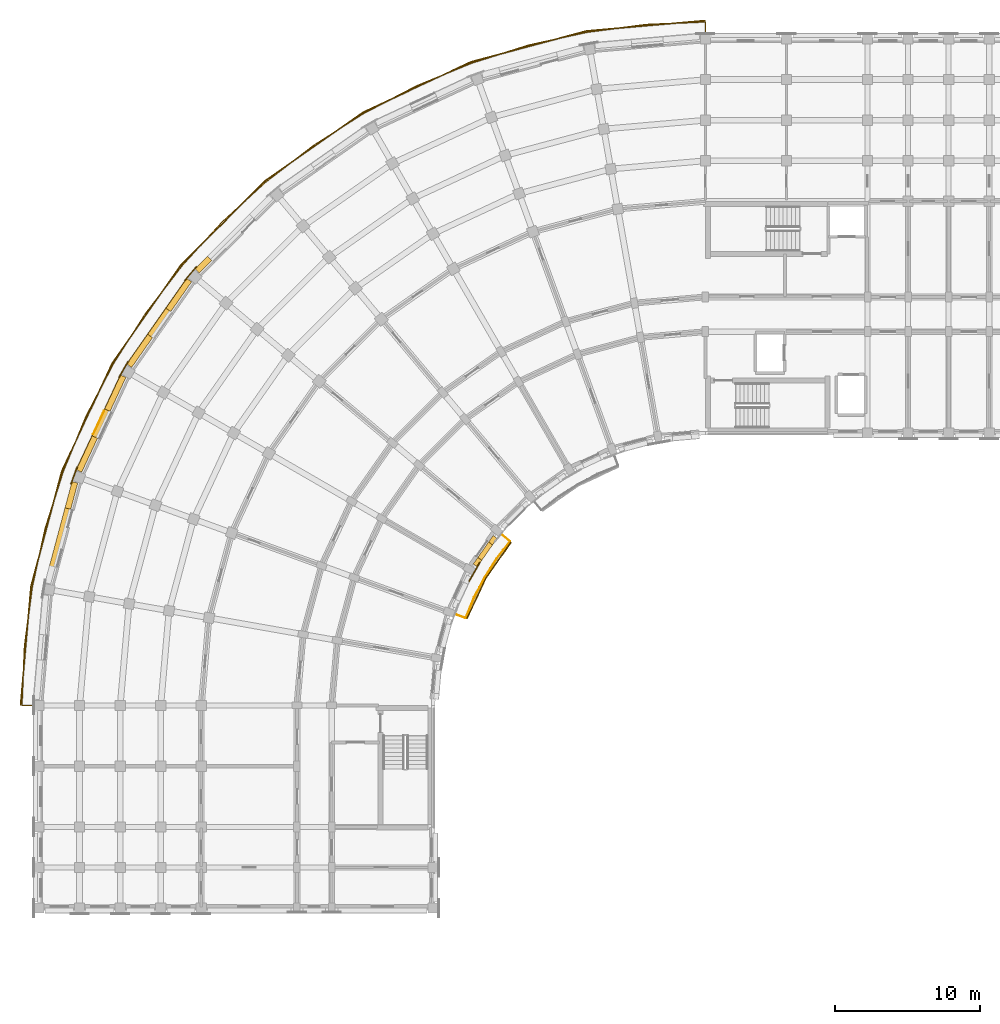
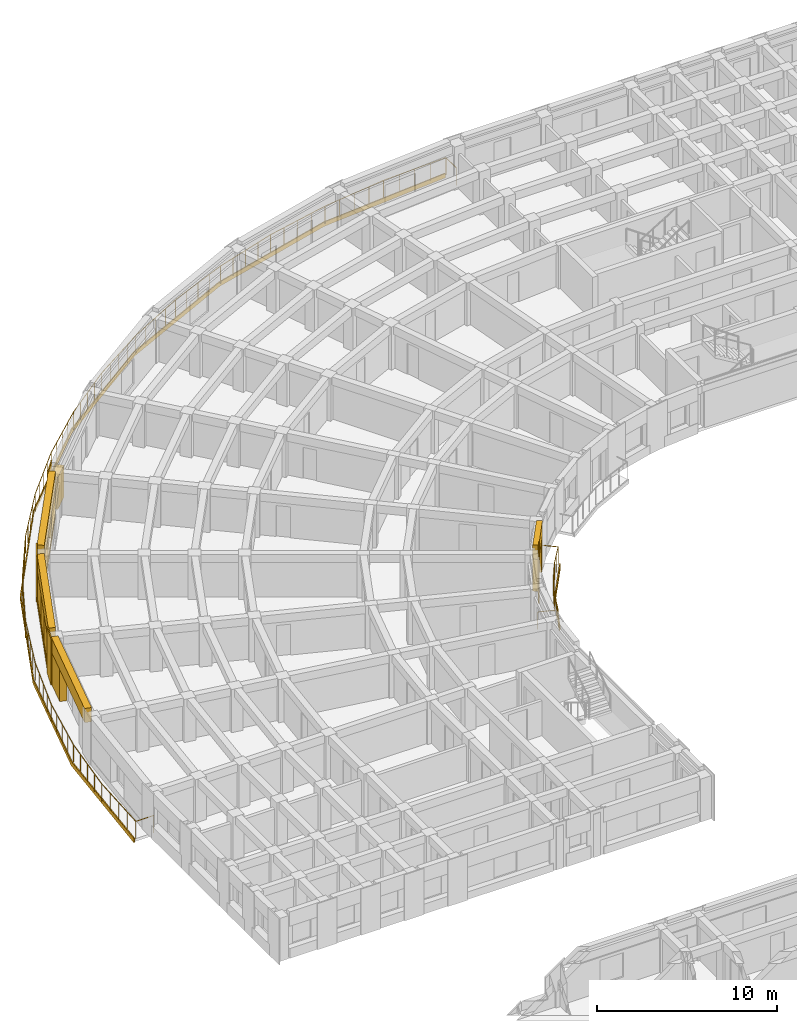
# One storey, part 47 of 57: 20 coverings, 2 railings, 1 shading device.
"""IFC4 building model written with IfcOpenShell, lengths in metres."""

from ifc_helpers import new_model, si_unit, direction, frame, origin, origin_2d, place, context, subcontext, project, spatial, polyline, rectangle, circle, outline, extrude, material, layer, layer_set, type_object, element, save


model = new_model("IFC4")

# Units and contexts
model_context = context("Model", 3, precision=1e-05, world=origin(), true_north=direction((0.0, 1.0)))
body_context = subcontext(model_context, "Body", "Model", "MODEL_VIEW")
ifc_project = project(units=[si_unit("LENGTHUNIT", "METRE"), si_unit("AREAUNIT", "SQUARE_METRE"), si_unit("VOLUMEUNIT", "CUBIC_METRE"), si_unit("PLANEANGLEUNIT", "RADIAN"), si_unit("MASSUNIT", "GRAM", prefix="KILO")], contexts=[model_context])

# Site, building, storey
site_placement = place(None, origin())
site = spatial("IfcSite", under=ifc_project, at=site_placement, CompositionType="ELEMENT")
building_placement = place(site_placement, origin())
building = spatial("IfcBuilding", under=site, at=building_placement, Name="Kiranvali Square Residences", CompositionType="ELEMENT")
storey_placement = place(building_placement, frame((0.0, 0.0, 18.14990234375)))
storey = spatial("IfcBuildingStorey", under=building, at=storey_placement, Name="L05", CompositionType="ELEMENT", Elevation=18.14990234375)

# Coverings
ifc_material_1 = material(Name="Carved Porbandar limestone classical entablature and cornice", Category="masonry")
ifc_layer_1 = layer(ifc_material_1, 0.072021484375)
ifc_layer_set_1 = layer_set([ifc_layer_1], Name="Carved Porbandar limestone classical entablature and cornice")
covering_type_1 = type_object("IfcCoveringType", Name="COV-CLAD-BAL", PredefinedType="CLADDING", material=ifc_layer_set_1)
covering_1_placement = place(storey_placement, frame((0.0, 0.0, -0.239990234375)))
element("IfcCovering", 1, at=covering_1_placement, inside=storey, type_object=covering_type_1, Name="Block A L05 continuous curved limestone balcony fascia", PredefinedType="CLADDING", context=body_context, shape_type="SweptSolid", body=[
    extrude(outline(polyline([(48.199951171875, 135.117919921875), (39.9833984375, 134.399169921875), (32.016357421875, 132.264404296875), (24.541015625, 128.778564453125), (17.78466796875, 124.047607421875), (11.952392578125, 118.21533203125), (7.221435546875, 111.458984375), (3.735595703125, 103.983642578125), (1.600830078125, 96.0166015625), (0.882080078125, 87.800048828125), (0.947998046875, 87.800048828125), (1.665771484375, 96.005126953125), (3.797607421875, 103.961181640625), (7.278564453125, 111.426025390625), (12.0029296875, 118.173095703125), (17.826904296875, 123.9970703125), (24.573974609375, 128.721435546875), (32.038818359375, 132.202392578125), (39.994873046875, 134.334228515625), (48.199951171875, 135.052001953125), (48.199951171875, 135.117919921875)])), origin(), (0.0, 0.0, 1.0), 0.300048828125),
])
ifc_layer_2 = layer(ifc_material_1, 0.06201171875)
ifc_layer_set_2 = layer_set([ifc_layer_2], Name="Carved Porbandar limestone classical entablature and cornice")
covering_type_2 = type_object("IfcCoveringType", Name="COV-CLAD-GBAL", PredefinedType="CLADDING", material=ifc_layer_set_2)
covering_2_placement = place(storey_placement, frame((0.0, 0.0, -0.219970703125)))
element("IfcCovering", 2, at=covering_2_placement, inside=storey, type_object=covering_type_2, Name="Block A L05 garden balcony limestone fascia 2", PredefinedType="CLADDING", context=body_context, shape_type="SweptSolid", body=[
    extrude(outline(polyline([(34.757568359375, 99.07958984375), (33.0029296875, 96.573974609375), (31.710205078125, 93.8017578125), (31.774169921875, 93.778564453125), (33.061767578125, 96.5400390625), (34.8095703125, 99.035888671875), (34.757568359375, 99.07958984375)])), origin(), (0.0, 0.0, 1.0), 0.27001953125),
])
ifc_material_2 = material(Name="Honed Porbandar limestone ashlar facade cladding", Category="masonry")
ifc_layer_3 = layer(ifc_material_2, 0.3798828125)
ifc_layer_set_3 = layer_set([ifc_layer_3], Name="Honed Porbandar limestone ashlar facade cladding")
covering_type_3 = type_object("IfcCoveringType", Name="COV-CLAD-JAMB", PredefinedType="CLADDING", material=ifc_layer_set_3)
covering_3_placement = place(storey_placement, origin())
element("IfcCovering", 3, at=covering_3_placement, inside=storey, type_object=covering_type_3, Name="L05 deep limestone window jamb reveal A-L05-CRV-04.R", PredefinedType="CLADDING", context=body_context, shape_type="SweptSolid", body=[
    extrude(outline(polyline([(13.822265625, 118.808349609375), (12.954833984375, 117.94091796875), (13.244384765625, 117.6513671875), (14.11181640625, 118.518798828125), (13.822265625, 118.808349609375)])), origin(), (0.0, 0.0, 1.0), 2.18017578125),
])
covering_4_placement = place(storey_placement, frame((0.0, 0.0, 0.3720703125)))
element("IfcCovering", 4, at=covering_4_placement, inside=storey, type_object=covering_type_3, Name="L05 deep limestone window jamb reveal A-L05-CRV-05.L", PredefinedType="CLADDING", context=body_context, shape_type="SweptSolid", body=[
    extrude(outline(polyline([(12.396728515625, 117.275634765625), (10.95751953125, 115.220458984375), (11.29296875, 114.9853515625), (12.732177734375, 117.040771484375), (12.396728515625, 117.275634765625)])), origin(), (0.0, 0.0, 1.0), 1.800048828125),
])
covering_5_placement = place(storey_placement, frame((0.0, 0.0, 0.3720703125)))
element("IfcCovering", 5, at=covering_5_placement, inside=storey, type_object=covering_type_3, Name="L05 deep limestone window jamb reveal A-L05-CRV-05.R", PredefinedType="CLADDING", context=body_context, shape_type="SweptSolid", body=[
    extrude(outline(polyline([(9.695556640625, 113.418212890625), (8.25634765625, 111.36279296875), (8.591796875, 111.1279296875), (10.031005859375, 113.183349609375), (9.695556640625, 113.418212890625)])), origin(), (0.0, 0.0, 1.0), 1.800048828125),
])
covering_6_placement = place(storey_placement, frame((0.0, 0.0, 0.322021484375)))
element("IfcCovering", 6, at=covering_6_placement, inside=storey, type_object=covering_type_3, Name="L05 deep limestone window jamb reveal A-L05-CRV-06.L", PredefinedType="CLADDING", context=body_context, shape_type="SweptSolid", body=[
    extrude(outline(polyline([(7.822265625, 110.61083984375), (6.72998046875, 108.268798828125), (7.101318359375, 108.095703125), (8.193359375, 110.437744140625), (7.822265625, 110.61083984375)])), origin(), (0.0, 0.0, 1.0), 1.85009765625),
])
covering_7_placement = place(storey_placement, frame((0.0, 0.0, 0.322021484375)))
element("IfcCovering", 7, at=covering_7_placement, inside=storey, type_object=covering_type_3, Name="L05 deep limestone window jamb reveal A-L05-CRV-06.R", PredefinedType="CLADDING", context=body_context, shape_type="SweptSolid", body=[
    extrude(outline(polyline([(5.86376953125, 106.410888671875), (4.771484375, 104.068603515625), (5.142822265625, 103.895751953125), (6.23486328125, 106.23779296875), (5.86376953125, 106.410888671875)])), origin(), (0.0, 0.0, 1.0), 1.85009765625),
])
covering_8_placement = place(storey_placement, origin())
element("IfcCovering", 8, at=covering_8_placement, inside=storey, type_object=covering_type_3, Name="L05 deep limestone window jamb reveal A-L05-CRV-07.L", PredefinedType="CLADDING", context=body_context, shape_type="SweptSolid", body=[
    extrude(outline(polyline([(4.474609375, 103.252685546875), (3.989013671875, 101.440185546875), (4.384521484375, 101.334228515625), (4.8701171875, 103.146728515625), (4.474609375, 103.252685546875)])), origin(), (0.0, 0.0, 1.0), 2.18017578125),
])
covering_9_placement = place(storey_placement, origin())
element("IfcCovering", 9, at=covering_9_placement, inside=storey, type_object=covering_type_3, Name="L05 deep limestone window jamb reveal A-L05-GDN-05.L", PredefinedType="CLADDING", context=body_context, shape_type="SweptSolid", body=[
    extrude(outline(polyline([(33.54638671875, 99.523681640625), (33.231689453125, 99.074462890625), (33.509765625, 98.879638671875), (33.824462890625, 99.328857421875), (33.54638671875, 99.523681640625)])), origin(), (0.0, 0.0, 1.0), 2.18017578125),
])
covering_10_placement = place(storey_placement, origin())
element("IfcCovering", 10, at=covering_10_placement, inside=storey, type_object=covering_type_3, Name="L05 deep limestone window jamb reveal A-L05-GDN-05.R", PredefinedType="CLADDING", context=body_context, shape_type="SweptSolid", body=[
    extrude(outline(polyline([(32.486083984375, 98.009521484375), (32.171630859375, 97.56005859375), (32.44970703125, 97.365478515625), (32.76416015625, 97.814697265625), (32.486083984375, 98.009521484375)])), origin(), (0.0, 0.0, 1.0), 2.18017578125),
])
ifc_layer_4 = layer(ifc_material_2, 0.06494140625)
ifc_layer_set_4 = layer_set([ifc_layer_4], Name="Honed Porbandar limestone ashlar facade cladding")
covering_type_4 = type_object("IfcCoveringType", Name="COV-CLAD-PIER", PredefinedType="CLADDING", material=ifc_layer_set_4)
covering_11_placement = place(storey_placement, frame((0.0, 0.0, 0.005126953125)))
element("IfcCovering", 11, at=covering_11_placement, inside=storey, type_object=covering_type_4, Name="L05 Classical limestone corner pilaster CLAD-PR-A-L05-A05", PredefinedType="CLADDING", context=body_context, shape_type="SweptSolid", body=[
    extrude(outline(polyline([(13.046630859375, 118.11962890625), (12.23681640625, 117.154296875), (12.28857421875, 117.11083984375), (13.098388671875, 118.076171875), (13.046630859375, 118.11962890625)])), origin(), (0.0, 0.0, 1.0), 3.139892578125),
])
covering_12_placement = place(storey_placement, frame((0.0, 0.0, 0.005126953125)))
element("IfcCovering", 12, at=covering_12_placement, inside=storey, type_object=covering_type_4, Name="L05 Classical limestone corner pilaster CLAD-PR-A-L05-A06", PredefinedType="CLADDING", context=body_context, shape_type="SweptSolid", body=[
    extrude(outline(polyline([(8.31591796875, 111.5546875), (7.685791015625, 110.46337890625), (7.744384765625, 110.4296875), (8.374267578125, 111.520751953125), (8.31591796875, 111.5546875)])), origin(), (0.0, 0.0, 1.0), 3.139892578125),
])
covering_13_placement = place(storey_placement, frame((0.0, 0.0, 0.005126953125)))
element("IfcCovering", 13, at=covering_13_placement, inside=storey, type_object=covering_type_4, Name="L05 Classical limestone corner pilaster CLAD-PR-A-L05-A07", PredefinedType="CLADDING", context=body_context, shape_type="SweptSolid", body=[
    extrude(outline(polyline([(4.796875, 104.267822265625), (4.365966796875, 103.083984375), (4.42919921875, 103.060791015625), (4.8603515625, 104.244873046875), (4.796875, 104.267822265625)])), origin(), (0.0, 0.0, 1.0), 3.139892578125),
])
ifc_layer_5 = layer(ifc_material_2, 0.050048828125)
ifc_layer_set_5 = layer_set([ifc_layer_5], Name="Honed Porbandar limestone ashlar facade cladding")
covering_type_5 = type_object("IfcCoveringType", Name="COV-CLAD-PIER-IN", PredefinedType="CLADDING", material=ifc_layer_set_5)
covering_14_placement = place(storey_placement, frame((0.0, 0.0, 0.005126953125)))
element("IfcCovering", 14, at=covering_14_placement, inside=storey, type_object=covering_type_5, Name="L05 Classical garden courtyard pilaster CLAD-PRIN-A-L05-A06", PredefinedType="CLADDING", context=body_context, shape_type="SweptSolid", body=[
    extrude(outline(polyline([(31.90576171875, 96.341552734375), (32.65576171875, 97.640625), (32.59716796875, 97.67431640625), (31.84716796875, 96.375244140625), (31.90576171875, 96.341552734375)])), origin(), (0.0, 0.0, 1.0), 3.139892578125),
])
ifc_layer_6 = layer(ifc_material_2, 0.360107421875)
ifc_layer_set_6 = layer_set([ifc_layer_6], Name="Honed Porbandar limestone ashlar facade cladding")
covering_type_6 = type_object("IfcCoveringType", Name="COV-CLAD-WALL", PredefinedType="CLADDING", material=ifc_layer_set_6)
covering_15_placement = place(storey_placement, frame((0.0, 0.0, 2.172119140625)))
element("IfcCovering", 15, at=covering_15_placement, inside=storey, type_object=covering_type_6, Name="L05 light limestone spandrel lintel A-L05-CRV-05", PredefinedType="CLADDING", context=body_context, shape_type="SweptSolid", body=[
    extrude(outline(polyline([(12.396728515625, 117.275634765625), (8.25634765625, 111.36279296875), (8.591796875, 111.1279296875), (12.732177734375, 117.040771484375), (12.396728515625, 117.275634765625)])), origin(), (0.0, 0.0, 1.0), 0.972900390625),
])
covering_16_placement = place(storey_placement, frame((0.0, 0.0, 0.005126953125)))
element("IfcCovering", 16, at=covering_16_placement, inside=storey, type_object=covering_type_6, Name="L05 limestone window sill apron A-L05-CRV-05", PredefinedType="CLADDING", context=body_context, shape_type="SweptSolid", body=[
    extrude(outline(polyline([(12.3720703125, 117.29296875), (8.23193359375, 111.380126953125), (8.591796875, 111.1279296875), (12.732177734375, 117.040771484375), (12.3720703125, 117.29296875)])), origin(), (0.0, 0.0, 1.0), 0.366943359375),
])
covering_17_placement = place(storey_placement, frame((0.0, 0.0, 2.172119140625)))
element("IfcCovering", 17, at=covering_17_placement, inside=storey, type_object=covering_type_6, Name="L05 light limestone spandrel lintel A-L05-CRV-06", PredefinedType="CLADDING", context=body_context, shape_type="SweptSolid", body=[
    extrude(outline(polyline([(7.822265625, 110.61083984375), (4.771484375, 104.068603515625), (5.142822265625, 103.895751953125), (8.193359375, 110.437744140625), (7.822265625, 110.61083984375)])), origin(), (0.0, 0.0, 1.0), 0.972900390625),
])
covering_18_placement = place(storey_placement, frame((0.0, 0.0, 0.005126953125)))
element("IfcCovering", 18, at=covering_18_placement, inside=storey, type_object=covering_type_6, Name="L05 limestone window sill apron A-L05-CRV-06", PredefinedType="CLADDING", context=body_context, shape_type="SweptSolid", body=[
    extrude(outline(polyline([(7.794921875, 110.62353515625), (4.744384765625, 104.081298828125), (5.142822265625, 103.895751953125), (8.193359375, 110.437744140625), (7.794921875, 110.62353515625)])), origin(), (0.0, 0.0, 1.0), 0.31689453125),
])
covering_19_placement = place(storey_placement, frame((0.0, 0.0, 2.18017578125)))
element("IfcCovering", 19, at=covering_19_placement, inside=storey, type_object=covering_type_6, Name="L05 light limestone spandrel lintel A-L05-CRV-07", PredefinedType="CLADDING", context=body_context, shape_type="SweptSolid", body=[
    extrude(outline(polyline([(4.474609375, 103.252685546875), (2.6064453125, 96.2802734375), (3.001953125, 96.17431640625), (4.8701171875, 103.146728515625), (4.474609375, 103.252685546875)])), origin(), (0.0, 0.0, 1.0), 0.96484375),
])
covering_20_placement = place(storey_placement, frame((0.0, 0.0, 2.18017578125)))
element("IfcCovering", 20, at=covering_20_placement, inside=storey, type_object=covering_type_6, Name="L05 light limestone spandrel lintel A-L05-GDN-05", PredefinedType="CLADDING", context=body_context, shape_type="SweptSolid", body=[
    extrude(outline(polyline([(33.54638671875, 99.523681640625), (32.171630859375, 97.56005859375), (32.44970703125, 97.365478515625), (33.824462890625, 99.328857421875), (33.54638671875, 99.523681640625)])), origin(), (0.0, 0.0, 1.0), 0.96484375),
])

# Railings
ifc_material_3 = material(Name="Powder-coated architectural bronze balustrade", Category="steel")
railing_type = type_object("IfcRailingType", Name="RL-BAL-GOLD-1200", PredefinedType="BALUSTRADE", material=ifc_material_3)
railing_1_placement = place(storey_placement, frame((48.199951171875, 133.840087890625, 0.0)))
element("IfcRailing", 21, at=railing_1_placement, inside=storey, type_object=railing_type, Name="Block A L05 continuous curved corner gold balustrade", PredefinedType="BALUSTRADE", context=body_context, shape_type="SweptSolid", body=[
    extrude(circle(Radius=0.02392578125, at=origin_2d()), frame((0.0, 0.0, 1.17578125), z_axis=(0.0, 1.0, 0.0), x_axis=(-1.0, 0.0, 0.0)), (0.0, 0.0, 1.0), 1.14990234375),
    extrude(circle(Radius=0.02392578125, at=origin_2d()), frame((0.0, 1.14990234375, 1.17578125), z_axis=(-0.999049544955, -0.043589066576, 0.0), x_axis=(0.043589066576, -0.999049544955, 0.0)), (0.0, 0.0, 1.0), 4.11669921875),
    extrude(circle(Radius=0.02392578125, at=origin_2d()), frame((-4.11279296875, 0.970458984375, 1.17578125), z_axis=(-0.991444603928, -0.1305281477, 0.0), x_axis=(0.1305281477, -0.991444603928, 0.0)), (0.0, 0.0, 1.0), 4.11669921875),
    extrude(circle(Radius=0.02392578125, at=origin_2d()), frame((-8.1943359375, 0.43310546875, 1.17578125), z_axis=(-0.976292989924, -0.216453223181, 0.0), x_axis=(0.216453223181, -0.976292989924, 0.0)), (0.0, 0.0, 1.0), 4.116943359375),
    extrude(circle(Radius=0.02392578125, at=origin_2d()), frame((-12.213623046875, -0.4580078125, 1.17578125), z_axis=(-0.953710744932, -0.300725481131, 0.0), x_axis=(0.300725481131, -0.953710744932, 0.0)), (0.0, 0.0, 1.0), 4.116943359375),
    extrude(circle(Radius=0.02392578125, at=origin_2d()), frame((-16.139892578125, -1.696044921875, 1.17578125), z_axis=(-0.923880226262, -0.382681757498, 0.0), x_axis=(0.382681757498, -0.923880226262, 0.0)), (0.0, 0.0, 1.0), 4.116943359375),
    extrude(circle(Radius=0.02392578125, at=origin_2d()), frame((-19.943359375, -3.271484375, 1.17578125), z_axis=(-0.887013781313, -0.461742949877, 0.0), x_axis=(0.461742949877, -0.887013781313, 0.0)), (0.0, 0.0, 1.0), 4.11669921875),
    extrude(circle(Radius=0.02392578125, at=origin_2d()), frame((-23.594970703125, -5.17236328125, 1.17578125), z_axis=(-0.843402550976, -0.537282176335, 0.0), x_axis=(0.537282176335, -0.843402550976, 0.0)), (0.0, 0.0, 1.0), 4.116943359375),
    extrude(circle(Radius=0.02392578125, at=origin_2d()), frame((-27.067138671875, -7.38427734375, 1.17578125), z_axis=(-0.793339967331, -0.608778856594, 0.0), x_axis=(0.608778856594, -0.793339967331, 0.0)), (0.0, 0.0, 1.0), 4.11669921875),
    extrude(circle(Radius=0.02392578125, at=origin_2d()), frame((-30.3330078125, -9.890380859375, 1.17578125), z_axis=(-0.737299356654, -0.675566176386, 0.0), x_axis=(0.675566176386, -0.737299356654, 0.0)), (0.0, 0.0, 1.0), 4.116943359375),
    extrude(circle(Radius=0.02392578125, at=origin_2d()), frame((-33.368408203125, -12.671630859375, 1.17578125), z_axis=(-0.675566176386, -0.737299356654, 0.0), x_axis=(0.737299356654, -0.675566176386, 0.0)), (0.0, 0.0, 1.0), 4.116943359375),
    extrude(circle(Radius=0.02392578125, at=origin_2d()), frame((-36.149658203125, -15.70703125, 1.17578125), z_axis=(-0.608778856594, -0.793339967331, 0.0), x_axis=(0.793339967331, -0.608778856594, 0.0)), (0.0, 0.0, 1.0), 4.11669921875),
    extrude(circle(Radius=0.02392578125, at=origin_2d()), frame((-38.65576171875, -18.972900390625, 1.17578125), z_axis=(-0.537282176335, -0.843402550976, 0.0), x_axis=(0.843402550976, -0.537282176335, 0.0)), (0.0, 0.0, 1.0), 4.116943359375),
    extrude(circle(Radius=0.02392578125, at=origin_2d()), frame((-40.86767578125, -22.445068359375, 1.17578125), z_axis=(-0.461742949877, -0.887013781313, 0.0), x_axis=(0.887013781313, -0.461742949877, 0.0)), (0.0, 0.0, 1.0), 4.11669921875),
    extrude(circle(Radius=0.02392578125, at=origin_2d()), frame((-42.7685546875, -26.0966796875, 1.17578125), z_axis=(-0.382681757498, -0.923880226262, 0.0), x_axis=(0.923880226262, -0.382681757498, 0.0)), (0.0, 0.0, 1.0), 4.116943359375),
    extrude(circle(Radius=0.02392578125, at=origin_2d()), frame((-44.343994140625, -29.900146484375, 1.17578125), z_axis=(-0.300725481131, -0.953710744932, 0.0), x_axis=(0.953710744932, -0.300725481131, 0.0)), (0.0, 0.0, 1.0), 4.116943359375),
    extrude(circle(Radius=0.02392578125, at=origin_2d()), frame((-45.58203125, -33.826416015625, 1.17578125), z_axis=(-0.216453223181, -0.976292989924, 0.0), x_axis=(0.976292989924, -0.216453223181, 0.0)), (0.0, 0.0, 1.0), 4.116943359375),
    extrude(circle(Radius=0.02392578125, at=origin_2d()), frame((-46.47314453125, -37.845703125, 1.17578125), z_axis=(-0.1305281477, -0.991444603928, 0.0), x_axis=(0.991444603928, -0.1305281477, 0.0)), (0.0, 0.0, 1.0), 4.11669921875),
    extrude(circle(Radius=0.02392578125, at=origin_2d()), frame((-47.010498046875, -41.92724609375, 1.17578125), z_axis=(-0.043589066576, -0.999049544955, 0.0), x_axis=(0.999049544955, -0.043589066576, 0.0)), (0.0, 0.0, 1.0), 4.11669921875),
    extrude(circle(Radius=0.02392578125, at=origin_2d()), frame((-47.18994140625, -46.0400390625, 1.17578125), z_axis=(1.0, 0.0, 0.0), x_axis=(0.0, 1.0, 0.0)), (0.0, 0.0, 1.0), 1.14990234375),
    extrude(circle(Radius=0.02099609375, at=origin_2d()), origin(), (0.0, 0.0, 1.0), 1.15185546875),
    extrude(circle(Radius=0.02099609375, at=origin_2d()), frame((0.0, 1.14990234375, 0.0)), (0.0, 0.0, 1.0), 1.15185546875),
    extrude(circle(Radius=0.02099609375, at=origin_2d()), frame((-1.0283203125, 1.10498046875, 0.0)), (0.0, 0.0, 1.0), 1.15185546875),
    extrude(circle(Radius=0.02099609375, at=origin_2d()), frame((-2.056396484375, 1.06005859375, 0.0)), (0.0, 0.0, 1.0), 1.15185546875),
    extrude(circle(Radius=0.02099609375, at=origin_2d()), frame((-3.08447265625, 1.015380859375, 0.0)), (0.0, 0.0, 1.0), 1.15185546875),
    extrude(circle(Radius=0.02099609375, at=origin_2d()), frame((-4.11279296875, 0.970458984375, 0.0)), (0.0, 0.0, 1.0), 1.15185546875),
    extrude(circle(Radius=0.02099609375, at=origin_2d()), frame((-5.13330078125, 0.836181640625, 0.0)), (0.0, 0.0, 1.0), 1.15185546875),
    extrude(circle(Radius=0.02099609375, at=origin_2d()), frame((-6.153564453125, 0.70166015625, 0.0)), (0.0, 0.0, 1.0), 1.15185546875),
    extrude(circle(Radius=0.02099609375, at=origin_2d()), frame((-7.173828125, 0.5673828125, 0.0)), (0.0, 0.0, 1.0), 1.15185546875),
    extrude(circle(Radius=0.02099609375, at=origin_2d()), frame((-8.1943359375, 0.43310546875, 0.0)), (0.0, 0.0, 1.0), 1.15185546875),
    extrude(circle(Radius=0.02099609375, at=origin_2d()), frame((-9.19921875, 0.21044921875, 0.0)), (0.0, 0.0, 1.0), 1.15185546875),
    extrude(circle(Radius=0.02099609375, at=origin_2d()), frame((-10.2041015625, -0.012451171875, 0.0)), (0.0, 0.0, 1.0), 1.15185546875),
    extrude(circle(Radius=0.02099609375, at=origin_2d()), frame((-11.208740234375, -0.2353515625, 0.0)), (0.0, 0.0, 1.0), 1.15185546875),
    extrude(circle(Radius=0.02099609375, at=origin_2d()), frame((-12.213623046875, -0.4580078125, 0.0)), (0.0, 0.0, 1.0), 1.15185546875),
    extrude(circle(Radius=0.02099609375, at=origin_2d()), frame((-13.1953125, -0.767578125, 0.0)), (0.0, 0.0, 1.0), 1.15185546875),
    extrude(circle(Radius=0.02099609375, at=origin_2d()), frame((-14.1767578125, -1.0771484375, 0.0)), (0.0, 0.0, 1.0), 1.15185546875),
    extrude(circle(Radius=0.02099609375, at=origin_2d()), frame((-15.158203125, -1.386474609375, 0.0)), (0.0, 0.0, 1.0), 1.15185546875),
    extrude(circle(Radius=0.02099609375, at=origin_2d()), frame((-16.139892578125, -1.696044921875, 0.0)), (0.0, 0.0, 1.0), 1.15185546875),
    extrude(circle(Radius=0.02099609375, at=origin_2d()), frame((-17.0908203125, -2.08984375, 0.0)), (0.0, 0.0, 1.0), 1.15185546875),
    extrude(circle(Radius=0.02099609375, at=origin_2d()), frame((-18.04150390625, -2.48388671875, 0.0)), (0.0, 0.0, 1.0), 1.15185546875),
    extrude(circle(Radius=0.02099609375, at=origin_2d()), frame((-18.992431640625, -2.877685546875, 0.0)), (0.0, 0.0, 1.0), 1.15185546875),
    extrude(circle(Radius=0.02099609375, at=origin_2d()), frame((-19.943359375, -3.271484375, 0.0)), (0.0, 0.0, 1.0), 1.15185546875),
    extrude(circle(Radius=0.02099609375, at=origin_2d()), frame((-20.856201171875, -3.74658203125, 0.0)), (0.0, 0.0, 1.0), 1.15185546875),
    extrude(circle(Radius=0.02099609375, at=origin_2d()), frame((-21.76904296875, -4.221923828125, 0.0)), (0.0, 0.0, 1.0), 1.15185546875),
    extrude(circle(Radius=0.02099609375, at=origin_2d()), frame((-22.68212890625, -4.697265625, 0.0)), (0.0, 0.0, 1.0), 1.15185546875),
    extrude(circle(Radius=0.02099609375, at=origin_2d()), frame((-23.594970703125, -5.17236328125, 0.0)), (0.0, 0.0, 1.0), 1.15185546875),
    extrude(circle(Radius=0.02099609375, at=origin_2d()), frame((-24.462890625, -5.725341796875, 0.0)), (0.0, 0.0, 1.0), 1.15185546875),
    extrude(circle(Radius=0.02099609375, at=origin_2d()), frame((-25.3310546875, -6.2783203125, 0.0)), (0.0, 0.0, 1.0), 1.15185546875),
    extrude(circle(Radius=0.02099609375, at=origin_2d()), frame((-26.19921875, -6.831298828125, 0.0)), (0.0, 0.0, 1.0), 1.15185546875),
    extrude(circle(Radius=0.02099609375, at=origin_2d()), frame((-27.067138671875, -7.38427734375, 0.0)), (0.0, 0.0, 1.0), 1.15185546875),
    extrude(circle(Radius=0.02099609375, at=origin_2d()), frame((-27.883544921875, -8.0107421875, 0.0)), (0.0, 0.0, 1.0), 1.15185546875),
    extrude(circle(Radius=0.02099609375, at=origin_2d()), frame((-28.7001953125, -8.63720703125, 0.0)), (0.0, 0.0, 1.0), 1.15185546875),
    extrude(circle(Radius=0.02099609375, at=origin_2d()), frame((-29.5166015625, -9.263916015625, 0.0)), (0.0, 0.0, 1.0), 1.15185546875),
    extrude(circle(Radius=0.02099609375, at=origin_2d()), frame((-30.3330078125, -9.890380859375, 0.0)), (0.0, 0.0, 1.0), 1.15185546875),
    extrude(circle(Radius=0.02099609375, at=origin_2d()), frame((-31.091796875, -10.585693359375, 0.0)), (0.0, 0.0, 1.0), 1.15185546875),
    extrude(circle(Radius=0.02099609375, at=origin_2d()), frame((-31.8505859375, -11.281005859375, 0.0)), (0.0, 0.0, 1.0), 1.15185546875),
    extrude(circle(Radius=0.02099609375, at=origin_2d()), frame((-32.609619140625, -11.976318359375, 0.0)), (0.0, 0.0, 1.0), 1.15185546875),
    extrude(circle(Radius=0.02099609375, at=origin_2d()), frame((-33.368408203125, -12.671630859375, 0.0)), (0.0, 0.0, 1.0), 1.15185546875),
    extrude(circle(Radius=0.02099609375, at=origin_2d()), frame((-34.063720703125, -13.430419921875, 0.0)), (0.0, 0.0, 1.0), 1.15185546875),
    extrude(circle(Radius=0.02099609375, at=origin_2d()), frame((-34.759033203125, -14.189453125, 0.0)), (0.0, 0.0, 1.0), 1.15185546875),
    extrude(circle(Radius=0.02099609375, at=origin_2d()), frame((-35.454345703125, -14.9482421875, 0.0)), (0.0, 0.0, 1.0), 1.15185546875),
    extrude(circle(Radius=0.02099609375, at=origin_2d()), frame((-36.149658203125, -15.70703125, 0.0)), (0.0, 0.0, 1.0), 1.15185546875),
    extrude(circle(Radius=0.02099609375, at=origin_2d()), frame((-36.776123046875, -16.5234375, 0.0)), (0.0, 0.0, 1.0), 1.15185546875),
    extrude(circle(Radius=0.02099609375, at=origin_2d()), frame((-37.40283203125, -17.33984375, 0.0)), (0.0, 0.0, 1.0), 1.15185546875),
    extrude(circle(Radius=0.02099609375, at=origin_2d()), frame((-38.029296875, -18.156494140625, 0.0)), (0.0, 0.0, 1.0), 1.15185546875),
    extrude(circle(Radius=0.02099609375, at=origin_2d()), frame((-38.65576171875, -18.972900390625, 0.0)), (0.0, 0.0, 1.0), 1.15185546875),
    extrude(circle(Radius=0.02099609375, at=origin_2d()), frame((-39.208740234375, -19.8408203125, 0.0)), (0.0, 0.0, 1.0), 1.15185546875),
    extrude(circle(Radius=0.02099609375, at=origin_2d()), frame((-39.76171875, -20.708984375, 0.0)), (0.0, 0.0, 1.0), 1.15185546875),
    extrude(circle(Radius=0.02099609375, at=origin_2d()), frame((-40.314697265625, -21.5771484375, 0.0)), (0.0, 0.0, 1.0), 1.15185546875),
    extrude(circle(Radius=0.02099609375, at=origin_2d()), frame((-40.86767578125, -22.445068359375, 0.0)), (0.0, 0.0, 1.0), 1.15185546875),
    extrude(circle(Radius=0.02099609375, at=origin_2d()), frame((-41.3427734375, -23.35791015625, 0.0)), (0.0, 0.0, 1.0), 1.15185546875),
    extrude(circle(Radius=0.02099609375, at=origin_2d()), frame((-41.818115234375, -24.27099609375, 0.0)), (0.0, 0.0, 1.0), 1.15185546875),
    extrude(circle(Radius=0.02099609375, at=origin_2d()), frame((-42.29345703125, -25.183837890625, 0.0)), (0.0, 0.0, 1.0), 1.15185546875),
    extrude(circle(Radius=0.02099609375, at=origin_2d()), frame((-42.7685546875, -26.0966796875, 0.0)), (0.0, 0.0, 1.0), 1.15185546875),
    extrude(circle(Radius=0.02099609375, at=origin_2d()), frame((-43.162353515625, -27.047607421875, 0.0)), (0.0, 0.0, 1.0), 1.15185546875),
    extrude(circle(Radius=0.02099609375, at=origin_2d()), frame((-43.55615234375, -27.99853515625, 0.0)), (0.0, 0.0, 1.0), 1.15185546875),
    extrude(circle(Radius=0.02099609375, at=origin_2d()), frame((-43.9501953125, -28.94921875, 0.0)), (0.0, 0.0, 1.0), 1.15185546875),
    extrude(circle(Radius=0.02099609375, at=origin_2d()), frame((-44.343994140625, -29.900146484375, 0.0)), (0.0, 0.0, 1.0), 1.15185546875),
    extrude(circle(Radius=0.02099609375, at=origin_2d()), frame((-44.653564453125, -30.8818359375, 0.0)), (0.0, 0.0, 1.0), 1.15185546875),
    extrude(circle(Radius=0.02099609375, at=origin_2d()), frame((-44.962890625, -31.86328125, 0.0)), (0.0, 0.0, 1.0), 1.15185546875),
    extrude(circle(Radius=0.02099609375, at=origin_2d()), frame((-45.2724609375, -32.8447265625, 0.0)), (0.0, 0.0, 1.0), 1.15185546875),
    extrude(circle(Radius=0.02099609375, at=origin_2d()), frame((-45.58203125, -33.826416015625, 0.0)), (0.0, 0.0, 1.0), 1.15185546875),
    extrude(circle(Radius=0.02099609375, at=origin_2d()), frame((-45.8046875, -34.831298828125, 0.0)), (0.0, 0.0, 1.0), 1.15185546875),
    extrude(circle(Radius=0.02099609375, at=origin_2d()), frame((-46.027587890625, -35.8359375, 0.0)), (0.0, 0.0, 1.0), 1.15185546875),
    extrude(circle(Radius=0.02099609375, at=origin_2d()), frame((-46.25048828125, -36.8408203125, 0.0)), (0.0, 0.0, 1.0), 1.15185546875),
    extrude(circle(Radius=0.02099609375, at=origin_2d()), frame((-46.47314453125, -37.845703125, 0.0)), (0.0, 0.0, 1.0), 1.15185546875),
    extrude(circle(Radius=0.02099609375, at=origin_2d()), frame((-46.607421875, -38.8662109375, 0.0)), (0.0, 0.0, 1.0), 1.15185546875),
    extrude(circle(Radius=0.02099609375, at=origin_2d()), frame((-46.74169921875, -39.886474609375, 0.0)), (0.0, 0.0, 1.0), 1.15185546875),
    extrude(circle(Radius=0.02099609375, at=origin_2d()), frame((-46.876220703125, -40.90673828125, 0.0)), (0.0, 0.0, 1.0), 1.15185546875),
    extrude(circle(Radius=0.02099609375, at=origin_2d()), frame((-47.010498046875, -41.92724609375, 0.0)), (0.0, 0.0, 1.0), 1.15185546875),
    extrude(circle(Radius=0.02099609375, at=origin_2d()), frame((-47.055419921875, -42.95556640625, 0.0)), (0.0, 0.0, 1.0), 1.15185546875),
    extrude(circle(Radius=0.02099609375, at=origin_2d()), frame((-47.10009765625, -43.983642578125, 0.0)), (0.0, 0.0, 1.0), 1.15185546875),
    extrude(circle(Radius=0.02099609375, at=origin_2d()), frame((-47.14501953125, -45.01171875, 0.0)), (0.0, 0.0, 1.0), 1.15185546875),
    extrude(circle(Radius=0.02099609375, at=origin_2d()), frame((-47.18994140625, -46.0400390625, 0.0)), (0.0, 0.0, 1.0), 1.15185546875),
    extrude(circle(Radius=0.02099609375, at=origin_2d()), frame((-46.0400390625, -46.0400390625, 0.0)), (0.0, 0.0, 1.0), 1.15185546875),
])
railing_2_placement = place(storey_placement, frame((33.8291015625, 99.858642578125, 0.0)))
element("IfcRailing", 22, at=railing_2_placement, inside=storey, type_object=railing_type, Name="Block A L05 garden balcony gold balustrade 2", PredefinedType="BALUSTRADE", context=body_context, shape_type="SweptSolid", body=[
    extrude(circle(Radius=0.02392578125, at=origin_2d()), frame((0.0, 0.0, 1.17578125), z_axis=(0.765989188314, -0.642853454051, 0.0), x_axis=(0.642853454051, 0.765989188314, 0.0)), (0.0, 0.0, 1.0), 1.14990234375),
    extrude(circle(Radius=0.02392578125, at=origin_2d()), frame((0.880859375, -0.7392578125, 1.17578125), z_axis=(-0.608811807471, -0.793314680996, 0.0), x_axis=(0.793314680996, -0.608811807471, 0.0)), (0.0, 0.0, 1.0), 1.536376953125),
    extrude(circle(Radius=0.02392578125, at=origin_2d()), frame((-0.054443359375, -1.9580078125, 1.17578125), z_axis=(-0.537307309343, -0.843386539688, 0.0), x_axis=(0.843386539688, -0.537307309343, 0.0)), (0.0, 0.0, 1.0), 1.5361328125),
    extrude(circle(Radius=0.02392578125, at=origin_2d()), frame((-0.8798828125, -3.253662109375, 1.17578125), z_axis=(-0.461713009976, -0.887029366154, 0.0), x_axis=(0.887029366154, -0.461713009976, 0.0)), (0.0, 0.0, 1.0), 1.5361328125),
    extrude(circle(Radius=0.02392578125, at=origin_2d()), frame((-1.589111328125, -4.6162109375, 1.17578125), z_axis=(-0.382651197843, -0.923892883829, 0.0), x_axis=(0.923892883829, -0.382651197843, 0.0)), (0.0, 0.0, 1.0), 1.536376953125),
    extrude(circle(Radius=0.02392578125, at=origin_2d()), frame((-2.177001953125, -6.03564453125, 1.17578125), z_axis=(-0.939712828289, 0.341964618562, 0.0), x_axis=(-0.341964618562, -0.939712828289, 0.0)), (0.0, 0.0, 1.0), 1.150146484375),
    extrude(circle(Radius=0.02099609375, at=origin_2d()), origin(), (0.0, 0.0, 1.0), 1.15185546875),
    extrude(circle(Radius=0.02099609375, at=origin_2d()), frame((0.880859375, -0.7392578125, 0.0)), (0.0, 0.0, 1.0), 1.15185546875),
    extrude(circle(Radius=0.02099609375, at=origin_2d()), frame((0.4130859375, -1.3486328125, 0.0)), (0.0, 0.0, 1.0), 1.15185546875),
    extrude(circle(Radius=0.02099609375, at=origin_2d()), frame((-0.054443359375, -1.9580078125, 0.0)), (0.0, 0.0, 1.0), 1.15185546875),
    extrude(circle(Radius=0.02099609375, at=origin_2d()), frame((-0.46728515625, -2.60595703125, 0.0)), (0.0, 0.0, 1.0), 1.15185546875),
    extrude(circle(Radius=0.02099609375, at=origin_2d()), frame((-0.8798828125, -3.253662109375, 0.0)), (0.0, 0.0, 1.0), 1.15185546875),
    extrude(circle(Radius=0.02099609375, at=origin_2d()), frame((-1.234375, -3.93505859375, 0.0)), (0.0, 0.0, 1.0), 1.15185546875),
    extrude(circle(Radius=0.02099609375, at=origin_2d()), frame((-1.589111328125, -4.6162109375, 0.0)), (0.0, 0.0, 1.0), 1.15185546875),
    extrude(circle(Radius=0.02099609375, at=origin_2d()), frame((-1.883056640625, -5.325927734375, 0.0)), (0.0, 0.0, 1.0), 1.15185546875),
    extrude(circle(Radius=0.02099609375, at=origin_2d()), frame((-2.177001953125, -6.03564453125, 0.0)), (0.0, 0.0, 1.0), 1.15185546875),
    extrude(circle(Radius=0.02099609375, at=origin_2d()), frame((-3.2578125, -5.642333984375, 0.0)), (0.0, 0.0, 1.0), 1.15185546875),
])

# Shading device
ifc_material_4 = material(Name="Pierced buff sandstone architectural mashrabiya solar screen", Category="masonry")
shading_device_type = type_object("IfcShadingDeviceType", Name="SHD-JALI-2100", PredefinedType="JALOUSIE", material=ifc_material_4)
shading_device_placement = place(storey_placement, frame((6.31494140625, 107.331298828125, 0.322021484375), z_axis=(0.0, 0.0, 1.0), x_axis=(-0.422618261741, -0.906307787037, 0.0)))
element("IfcShadingDevice", 23, at=shading_device_placement, inside=storey, type_object=shading_device_type, Name="L05 carved stone Mashrabiya screen A-L05-CRV-06", PredefinedType="JALOUSIE", context=body_context, shape_type="SweptSolid", body=[
    extrude(rectangle(XDim=1.800048828125, YDim=0.044921875, at=origin_2d()), origin(), (0.0, 0.0, 1.0), 1.85009765625),
])

save(model, "model.ifc")
